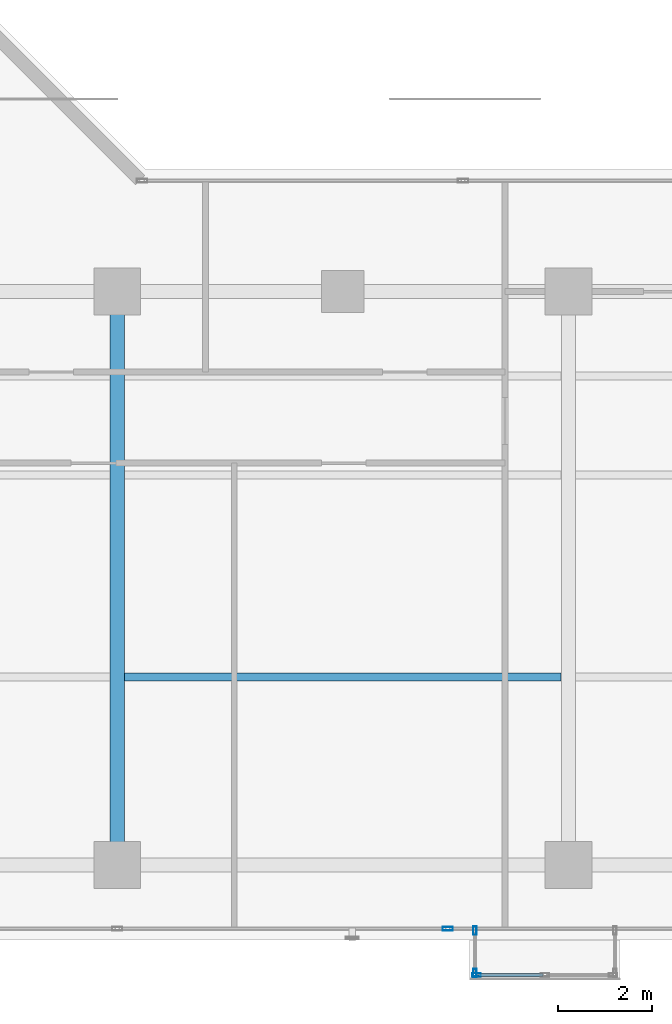
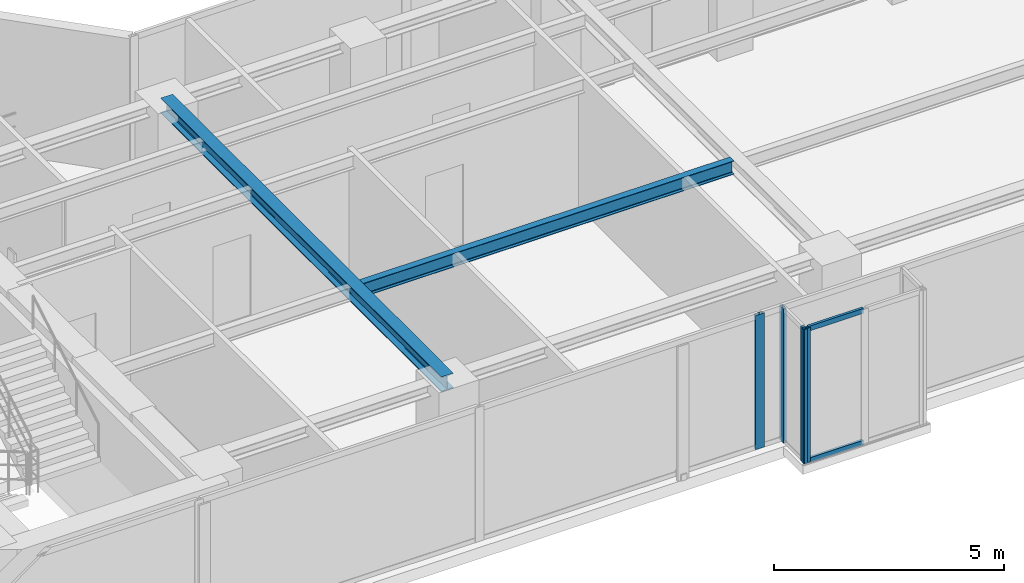
# One storey, part 5 of 25: 6 members, 2 beams, 3 elements without a shape of their own.
"""IFC4 building model written with IfcOpenShell, lengths in metres."""

from ifc_helpers import new_model, si_unit, direction, frame, origin, origin_with_axes, origin_2d, place, context, subcontext, project, spatial, hollow_rectangle, i_section, extrude, source, transform, mapped, material, layer, layer_set, material_profile, profile_set, type_object, element, aggregate, save


model = new_model("IFC4")

# Units and contexts
model_context = context("Model", 3, precision=1e-05, world=origin(), true_north=direction((0.0, 1.0)))
body_context = subcontext(model_context, "Body", "Model", "MODEL_VIEW")
ifc_project = project(units=[si_unit("LENGTHUNIT", "METRE"), si_unit("AREAUNIT", "SQUARE_METRE"), si_unit("VOLUMEUNIT", "CUBIC_METRE"), si_unit("PLANEANGLEUNIT", "RADIAN"), si_unit("MASSUNIT", "GRAM", prefix="KILO")], contexts=[model_context])

# Site, building, storey
site_placement = place(None, origin())
site = spatial("IfcSite", under=ifc_project, at=site_placement, CompositionType="ELEMENT")
building_placement = place(site_placement, origin())
building = spatial("IfcBuilding", under=site, at=building_placement, Name="Kolvaren Waterfront Exchange", CompositionType="ELEMENT")
storey_placement = place(building_placement, frame((0.0, 0.0, 223.5)))
storey = spatial("IfcBuildingStorey", under=building, at=storey_placement, Name="L57", CompositionType="ELEMENT", Elevation=223.5)

# Beams
ifc_material_1 = material(Name="Steel S355", Category="steel")
ifc_material_profile_1 = material_profile(ifc_material_1, i_section(OverallWidth=0.300048828125, OverallDepth=0.39990234375, WebThickness=0.013427734375, FlangeThickness=0.02392578125, FilletRadius=0.027099609375, at=origin_2d()), Name="HEB400")
ifc_profile_set_1 = profile_set([ifc_material_profile_1], Name="Steel S355")
beam_type_1 = type_object("IfcBeamType", Name="STR-BM-HEB400", PredefinedType="BEAM", material=ifc_profile_set_1)
beam_1_placement = place(storey_placement, frame((27.199951171875, 5.199951171875, 3.360107421875), z_axis=(0.0, 1.0, 0.0), x_axis=(-1.0, 0.0, 0.0)))
element("IfcBeam", 1, at=beam_1_placement, inside=storey, type_object=beam_type_1, Name="L57 east-arm transverse girder X27", PredefinedType="BEAM", context=body_context, shape_type="SweptSolid", body=[
    extrude(i_section(OverallWidth=0.300048828125, OverallDepth=0.39990234375, WebThickness=0.013427734375, FlangeThickness=0.02392578125, FilletRadius=0.027099609375, at=origin_2d()), origin(), (0.0, 0.0, 1.0), 12.199951171875),
])
ifc_material_profile_2 = material_profile(ifc_material_1, i_section(OverallWidth=0.169921875, OverallDepth=0.360107421875, WebThickness=0.008056640625, FlangeThickness=0.0126953125, FilletRadius=0.01806640625, at=origin_2d()), Name="IPE360")
ifc_profile_set_2 = profile_set([ifc_material_profile_2], Name="Steel S355")
beam_type_2 = type_object("IfcBeamType", Name="STR-BM-IPE360", PredefinedType="JOIST", material=ifc_profile_set_2)
beam_2_placement = place(storey_placement, frame((27.35205078125, 9.199951171875, 3.3798828125), z_axis=(1.0, 0.0, 0.0), x_axis=(0.0, 1.0, 0.0)))
element("IfcBeam", 2, at=beam_2_placement, inside=storey, type_object=beam_type_2, Name="L57 east-arm composite joist 2B", PredefinedType="JOIST", context=body_context, shape_type="SweptSolid", body=[
    extrude(i_section(OverallWidth=0.169921875, OverallDepth=0.360107421875, WebThickness=0.008056640625, FlangeThickness=0.0126953125, FilletRadius=0.01806640625, at=origin_2d()), origin(), (0.0, 0.0, 1.0), 9.2958984375),
])

# Curtain wall, members
ifc_material_2 = material(Name="Anodised bronze aluminium 6063-T6", Category="aluminium")
ifc_layer_1 = layer(ifc_material_2, 0.219970703125, Name="Anodised bronze aluminium 6063-T6")
ifc_layer_set_1 = layer_set([ifc_layer_1], Name="Anodised bronze aluminium 6063-T6")
curtain_wall_type_1 = type_object("IfcCurtainWallType", Name="ARC-CW-SYS3", PredefinedType="USERDEFINED", material=ifc_layer_set_1)
curtain_wall_1_placement = place(storey_placement, origin())
curtain_wall_1 = element("IfcCurtainWall", 3, at=curtain_wall_1_placement, inside=storey, type_object=curtain_wall_type_1, Name="L57 stick curtain wall CW3 (CW-L57-BOX)", ObjectType="STICK CURTAIN WALL", PredefinedType="USERDEFINED")
ifc_material_profile_3 = material_profile(ifc_material_2, hollow_rectangle(XDim=0.06494140625, YDim=0.1298828125, WallThickness=0.00390625, at=origin_2d()), Name="ALU-TRN-130x65x4")
ifc_profile_set_3 = profile_set([ifc_material_profile_3], Name="Anodised bronze aluminium 6063-T6")
member_type_1 = type_object("IfcMemberType", Name="ARC-CWT-130", PredefinedType="USERDEFINED", material=ifc_profile_set_3)
shared_shape_1 = source(origin_with_axes(), body_context, "Body", "SweptSolid", [
    extrude(hollow_rectangle(XDim=0.06494140625, YDim=0.1298828125, WallThickness=0.00390625, at=origin_2d()), origin(), (0.0, 0.0, 1.0), 1.37744140625),
])
member_1_placement = place(storey_placement, frame((34.885009765625, 2.860107421875, 0.032470703125), z_axis=(1.0, 0.0, 0.0), x_axis=(0.0, 1.0, 0.0)))
member_1 = element("IfcMember", 4, at=member_1_placement, type_object=member_type_1, Name="CW3 transom 1.1", ObjectType="TRANSOM", PredefinedType="USERDEFINED", context=body_context, shape_type="MappedRepresentation", body=[
    mapped(shared_shape_1, transform((0.0, 0.0, 0.0), x_axis=(1.0, 0.0, 0.0), y_axis=(0.0, 1.0, 0.0), z_axis=(0.0, 0.0, 1.0), scale=1.0)),
])
member_2_placement = place(storey_placement, frame((34.885009765625, 2.860107421875, 3.527587890625), z_axis=(1.0, 0.0, 0.0), x_axis=(0.0, 1.0, 0.0)))
member_2 = element("IfcMember", 5, at=member_2_placement, type_object=member_type_1, Name="CW3 transom 1.2", ObjectType="TRANSOM", PredefinedType="USERDEFINED", context=body_context, shape_type="MappedRepresentation", body=[
    mapped(shared_shape_1, transform((0.0, 0.0, 0.0), x_axis=(1.0, 0.0, 0.0), y_axis=(0.0, 1.0, 0.0), z_axis=(0.0, 0.0, 1.0), scale=1.0)),
])

curtain_wall_2_placement = place(storey_placement, origin())
curtain_wall_2 = element("IfcCurtainWall", 6, at=curtain_wall_2_placement, inside=storey, type_object=curtain_wall_type_1, Name="L57 stick curtain wall CW3 (CW-L57-BOX-W)", ObjectType="STICK CURTAIN WALL", PredefinedType="USERDEFINED")
ifc_material_profile_4 = material_profile(ifc_material_2, hollow_rectangle(XDim=0.074951171875, YDim=0.179931640625, WallThickness=0.00439453125, at=origin_2d()), Name="ALU-MUL-180x75x4.5")
ifc_profile_set_4 = profile_set([ifc_material_profile_4], Name="Anodised bronze aluminium 6063-T6")
member_type_2 = type_object("IfcMemberType", Name="ARC-CWM-180", PredefinedType="MULLION", material=ifc_profile_set_4)
shared_shape_2 = source(origin_with_axes(), body_context, "Body", "SweptSolid", [
    extrude(hollow_rectangle(XDim=0.074951171875, YDim=0.179931640625, WallThickness=0.00439453125, at=origin_2d()), origin(), (0.0, 0.0, 1.0), 3.56005859375),
])
member_3_placement = place(storey_placement, frame((34.81005859375, 3.802490234375, 0.0), z_axis=(0.0, 0.0, 1.0), x_axis=(1.0, 0.0, 0.0)))
member_3 = element("IfcMember", 7, at=member_3_placement, type_object=member_type_2, Name="CW3 mullion 1", PredefinedType="MULLION", context=body_context, shape_type="MappedRepresentation", body=[
    mapped(shared_shape_2, transform((0.0, 0.0, 0.0), x_axis=(1.0, 0.0, 0.0), y_axis=(0.0, 1.0, 0.0), z_axis=(0.0, 0.0, 1.0), scale=1.0)),
])
member_4_placement = place(storey_placement, frame((34.81005859375, 2.8974609375, 0.0), z_axis=(0.0, 0.0, 1.0), x_axis=(1.0, 0.0, 0.0)))
member_4 = element("IfcMember", 8, at=member_4_placement, type_object=member_type_2, Name="CW3 mullion 2", PredefinedType="MULLION", context=body_context, shape_type="MappedRepresentation", body=[
    mapped(shared_shape_2, transform((0.0, 0.0, 0.0), x_axis=(1.0, 0.0, 0.0), y_axis=(0.0, 1.0, 0.0), z_axis=(0.0, 0.0, 1.0), scale=1.0)),
])
aggregate(curtain_wall_2, [member_3, member_4])

# Member
member_5_placement = place(storey_placement, frame((34.847412109375, 2.860107421875, 0.0), z_axis=(0.0, 0.0, 1.0), x_axis=(0.0, 1.0, 0.0)))
member_5 = element("IfcMember", 9, at=member_5_placement, type_object=member_type_2, Name="CW3 mullion 1", PredefinedType="MULLION", context=body_context, shape_type="MappedRepresentation", body=[
    mapped(shared_shape_2, transform((0.0, 0.0, 0.0), x_axis=(1.0, 0.0, 0.0), y_axis=(0.0, 1.0, 0.0), z_axis=(0.0, 0.0, 1.0), scale=1.0)),
])

aggregate(curtain_wall_1, [member_5, member_1, member_2])

# Curtain wall, member
ifc_layer_2 = layer(ifc_material_2, 0.219970703125, Name="Anodised bronze aluminium 6063-T6")
ifc_layer_set_2 = layer_set([ifc_layer_2], Name="Anodised bronze aluminium 6063-T6")
curtain_wall_type_2 = type_object("IfcCurtainWallType", Name="ARC-CW-SYS4", PredefinedType="USERDEFINED", material=ifc_layer_set_2)
curtain_wall_3_placement = place(storey_placement, origin())
curtain_wall_3 = element("IfcCurtainWall", 10, at=curtain_wall_3_placement, inside=storey, type_object=curtain_wall_type_2, Name="L57 stick curtain wall CW4 (CW-L57-S)", ObjectType="STICK CURTAIN WALL", PredefinedType="USERDEFINED")
ifc_material_3 = material(Name="Anodised aluminium 6063-T6", Category="aluminium")
ifc_material_profile_5 = material_profile(ifc_material_3, hollow_rectangle(XDim=0.080078125, YDim=0.219970703125, WallThickness=0.0048828125, at=origin_2d()), Name="ALU-MUL-220x80x5")
ifc_profile_set_5 = profile_set([ifc_material_profile_5], Name="Anodised aluminium 6063-T6")
member_type_3 = type_object("IfcMemberType", Name="ARC-CWM-220", PredefinedType="MULLION", material=ifc_profile_set_5)
shared_shape_3 = source(origin_with_axes(), body_context, "Body", "SweptSolid", [
    extrude(hollow_rectangle(XDim=0.080078125, YDim=0.219970703125, WallThickness=0.0048828125, at=origin_2d()), origin(), (0.0, 0.0, 1.0), 3.56005859375),
])
member_6_placement = place(storey_placement, frame((34.2333984375, 3.840087890625, 0.0), z_axis=(0.0, 0.0, 1.0), x_axis=(0.0, 1.0, 0.0)))
member_6 = element("IfcMember", 11, at=member_6_placement, type_object=member_type_3, Name="CW4 mullion 5", PredefinedType="MULLION", context=body_context, shape_type="MappedRepresentation", body=[
    mapped(shared_shape_3, transform((0.0, 0.0, 0.0), x_axis=(1.0, 0.0, 0.0), y_axis=(0.0, 1.0, 0.0), z_axis=(0.0, 0.0, 1.0), scale=1.0)),
])
aggregate(curtain_wall_3, [member_6])

save(model, "model.ifc")
